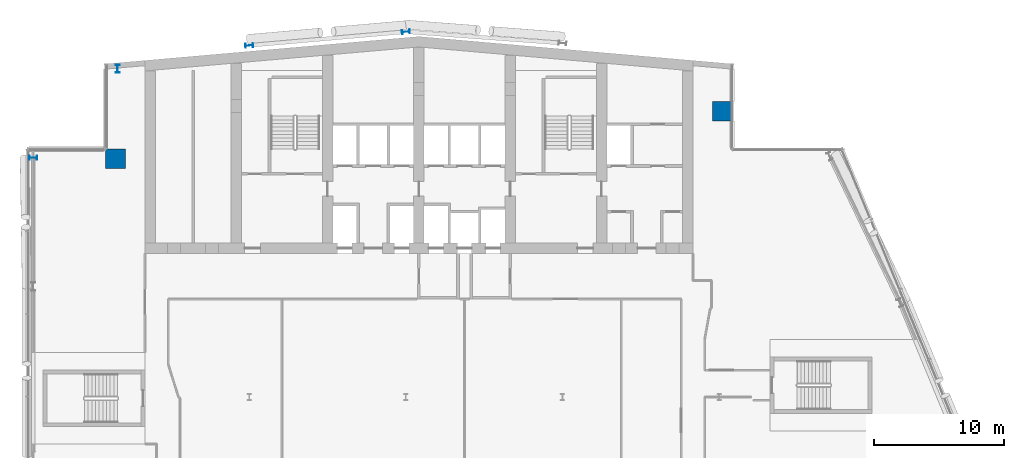
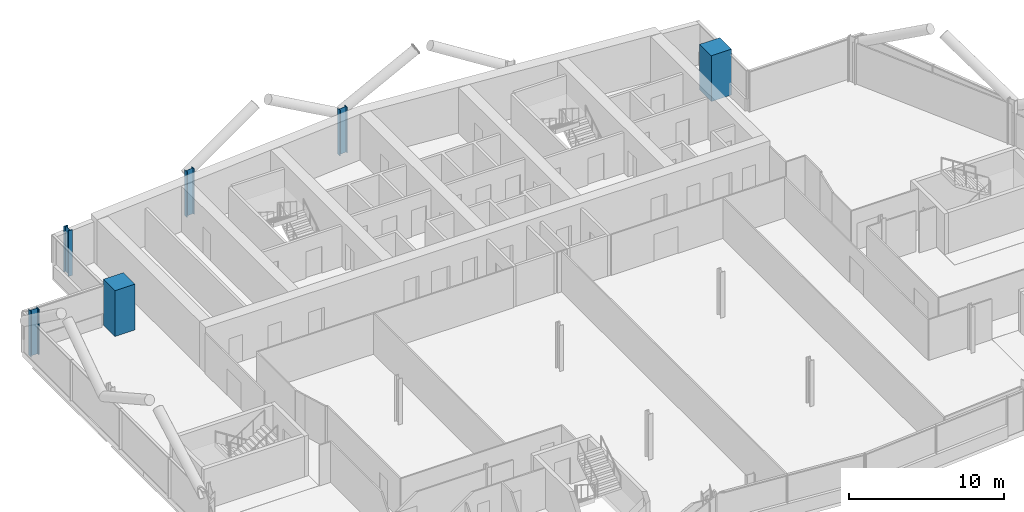
# One storey, part 3 of 26: 6 columns.
"""IFC4 building model written with IfcOpenShell, lengths in metres."""

from ifc_helpers import new_model, si_unit, direction, frame, origin, origin_2d, place, context, subcontext, project, spatial, rectangle, i_section, extrude, material, material_profile, profile_set, type_object, element, save


model = new_model("IFC4")

# Units and contexts
model_context = context("Model", 3, precision=1e-05, world=origin(), true_north=direction((0.0, 1.0)))
body_context = subcontext(model_context, "Body", "Model", "MODEL_VIEW")
ifc_project = project(units=[si_unit("LENGTHUNIT", "METRE"), si_unit("AREAUNIT", "SQUARE_METRE"), si_unit("VOLUMEUNIT", "CUBIC_METRE"), si_unit("PLANEANGLEUNIT", "RADIAN"), si_unit("MASSUNIT", "GRAM", prefix="KILO")], contexts=[model_context])

# Site, building, storey
site_placement = place(None, origin())
site = spatial("IfcSite", under=ifc_project, at=site_placement, CompositionType="ELEMENT")
building_placement = place(site_placement, origin())
building = spatial("IfcBuilding", under=site, at=building_placement, Name="Wharfspan Tower", CompositionType="ELEMENT")
storey_placement = place(building_placement, frame((0.0, 0.0, 177.100098)))
storey = spatial("IfcBuildingStorey", under=building, at=storey_placement, Name="L43", CompositionType="ELEMENT", Elevation=177.100098)

# Columns
ifc_material_1 = material(Name="Steel S355J2", Category="steel")
ifc_material_profile_1 = material_profile(ifc_material_1, i_section(OverallWidth=0.300049, OverallDepth=0.600098, WebThickness=0.015381, FlangeThickness=0.030029, FilletRadius=0.0271, at=origin_2d()))
ifc_profile_set_1 = profile_set([ifc_material_profile_1], Name="Steel S355J2")
column_type_1 = type_object("IfcColumnType", Name="Column HEB 600", PredefinedType="COLUMN", material=ifc_profile_set_1)
for number, where, z_axis, x_axis, name in (
    (1, (24.0, 49.937256, 0.0), (0.0, 0.0, 1.0), (-0.087156, 0.996198, 0.0), "Rear column R.1 L43"),
    (2, (36.0, 50.987061, 0.0), (0.0, 0.0, 1.0), (-0.087156, 0.996198, 0.0), "Rear column R.2 L43"),
):
    element("IfcColumn", number, at=place(storey_placement, frame(where, z_axis=z_axis, x_axis=x_axis)), inside=storey, type_object=column_type_1, Name=name, PredefinedType="COLUMN", context=body_context, shape_type="SweptSolid", body=[
        extrude(i_section(OverallWidth=0.300049, OverallDepth=0.600098, WebThickness=0.015381, FlangeThickness=0.030029, FilletRadius=0.0271, at=origin_2d()), origin(), (0.0, 0.0, 1.0), 3.599854),
    ])
ifc_material_profile_2 = material_profile(ifc_material_1, i_section(OverallWidth=0.304932, OverallDepth=0.620117, WebThickness=0.020996, FlangeThickness=0.040039, FilletRadius=0.0271, at=origin_2d()))
ifc_profile_set_2 = profile_set([ifc_material_profile_2], Name="Steel S355J2")
column_type_2 = type_object("IfcColumnType", Name="Column HEM 600", PredefinedType="COLUMN", material=ifc_profile_set_2)
for number, where, z_axis, x_axis, name in (
    (3, (13.911133, 48.141113, 0.0), (0.0, 0.0, 1.0), (-1.0, 0.0, 0.0), "Perimeter column PNRW-V.1 L43"),
    (4, (7.450439, 41.333008, 0.0), (0.0, 0.0, 1.0), (0.0, 1.0, 0.0), "Perimeter column PNRW-H.1 L43"),
):
    element("IfcColumn", number, at=place(storey_placement, frame(where, z_axis=z_axis, x_axis=x_axis)), inside=storey, type_object=column_type_2, Name=name, PredefinedType="COLUMN", context=body_context, shape_type="SweptSolid", body=[
        extrude(i_section(OverallWidth=0.304932, OverallDepth=0.620117, WebThickness=0.020996, FlangeThickness=0.040039, FilletRadius=0.0271, at=origin_2d()), origin(), (0.0, 0.0, 1.0), 3.599854),
    ])
ifc_material_2 = material(Name="Concrete C60/75", Category="concrete")
ifc_material_profile_3 = material_profile(ifc_material_2, rectangle(XDim=1.5, YDim=1.5, at=origin_2d()))
ifc_profile_set_3 = profile_set([ifc_material_profile_3], Name="Concrete C60/75")
column_type_3 = type_object("IfcColumnType", Name="Mega column 1500 C60/75", PredefinedType="COLUMN", material=ifc_profile_set_3)
for number, where, z_axis, x_axis, name in (
    (5, (13.75, 41.25, 0.0), (0.0, 0.0, 1.0), (1.0, 0.0, 0.0), "Mega column MC2 L43"),
    (6, (60.25, 44.899902, 0.0), (0.0, 0.0, 1.0), (1.0, 0.0, 0.0), "Mega column MC3 L43"),
):
    element("IfcColumn", number, at=place(storey_placement, frame(where, z_axis=z_axis, x_axis=x_axis)), inside=storey, type_object=column_type_3, Name=name, PredefinedType="COLUMN", context=body_context, shape_type="SweptSolid", body=[
        extrude(rectangle(XDim=1.5, YDim=1.5, at=origin_2d()), origin(), (0.0, 0.0, 1.0), 3.599854),
    ])

save(model, "model.ifc")
